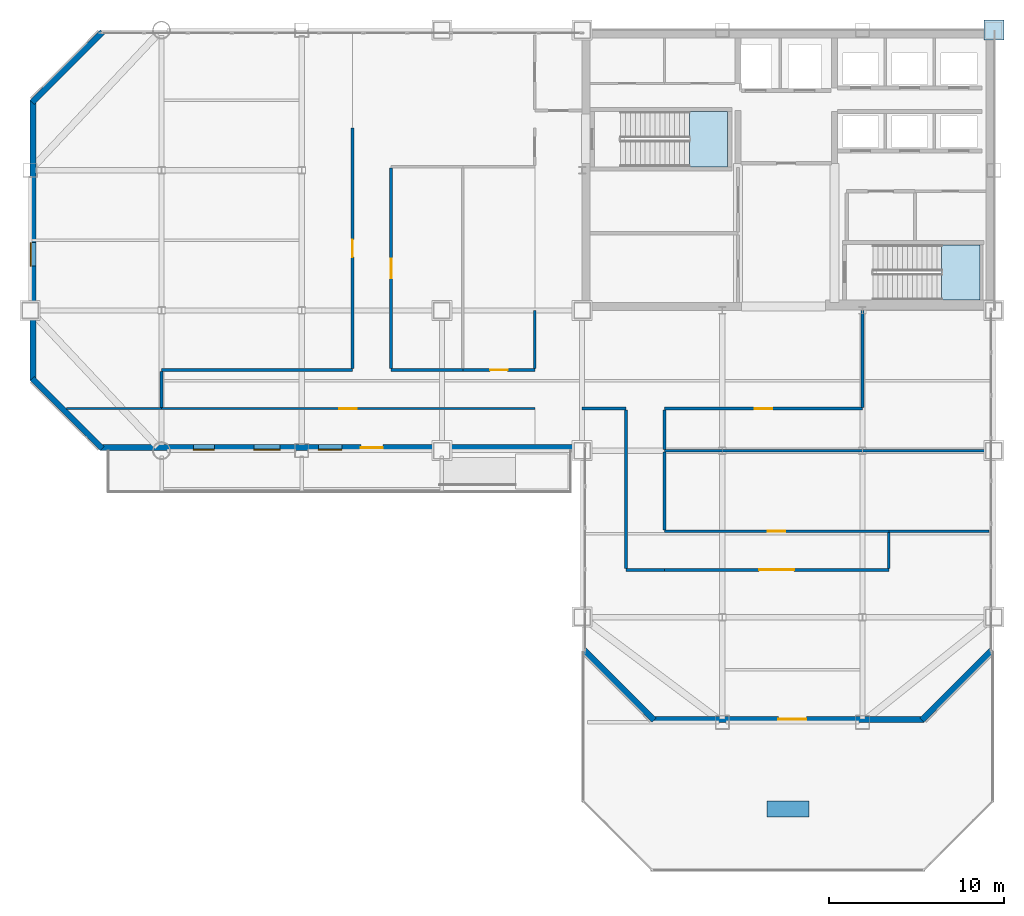
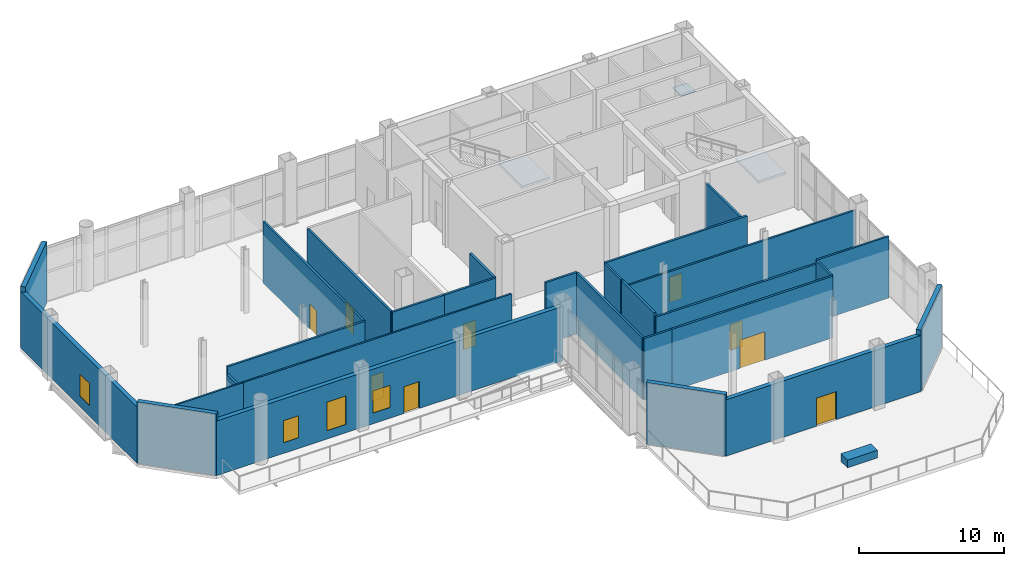
# One storey, part 17 of 21: 29 walls, 9 doors, 4 windows, 2 slabs, 1 plate, 13 openings, 2 elements without a shape of their own.
"""IFC4 building model written with IfcOpenShell, lengths in metres."""

from ifc_helpers import new_model, si_unit, direction, frame, frame_2d, origin, origin_2d, place, context, subcontext, project, spatial, polyline, rectangle, outline, extrude, material, layer, layer_set, type_object, element, fill, aggregate, save


model = new_model("IFC4")

# Units and contexts
model_context = context("Model", 3, precision=1e-05, world=origin(), true_north=direction((0.0, 1.0)))
body_context = subcontext(model_context, "Body", "Model", "MODEL_VIEW")
ifc_project = project(units=[si_unit("LENGTHUNIT", "METRE"), si_unit("AREAUNIT", "SQUARE_METRE"), si_unit("VOLUMEUNIT", "CUBIC_METRE"), si_unit("PLANEANGLEUNIT", "RADIAN"), si_unit("MASSUNIT", "GRAM", prefix="KILO")], contexts=[model_context])

# Site, building, storey
site_placement = place(None, origin())
site = spatial("IfcSite", under=ifc_project, at=site_placement, CompositionType="ELEMENT")
building_placement = place(site_placement, origin())
building = spatial("IfcBuilding", under=site, at=building_placement, Name="Qianrong Seaharbour Tower", CompositionType="ELEMENT")
storey_placement = place(building_placement, frame((0.0, 0.0, 200.39990234375)))
storey = spatial("IfcBuildingStorey", under=building, at=storey_placement, Name="L48", CompositionType="ELEMENT", Elevation=200.39990234375)

# Plate
ifc_material_1 = material(Name="Structural steel SN490B", Category="steel")
ifc_layer_1 = layer(ifc_material_1, 0.044921875)
ifc_layer_set_1 = layer_set([ifc_layer_1], Name="Structural steel SN490B")
plate_type = type_object("IfcPlateType", Name="PLT-COL-CAP-45", PredefinedType="SHEET", material=ifc_layer_set_1)
plate_placement = place(storey_placement, frame((64.0, 52.0, -0.0224609375), z_axis=(0.0, 0.0, 1.0), x_axis=(1.0, 0.0, 0.0)))
element("IfcPlate", 1, at=plate_placement, inside=storey, type_object=plate_type, Name="L48 Column Splice Cap Plate G9/GH", PredefinedType="SHEET", context=body_context, shape_type="SweptSolid", body=[
    extrude(rectangle(XDim=1.14990234375, YDim=1.14990234375, at=origin_2d()), origin(), (0.0, 0.0, 1.0), 0.044921875),
])

# Stair, slab
ifc_material_2 = material(Name="Concrete C50/60", Category="concrete")
stair_type = type_object("IfcStairType", Name="STAIR-DOGLEG-1500-R30", PredefinedType="HALF_TURN_STAIR", material=ifc_material_2)
stair_1_placement = place(storey_placement, origin())
stair_1 = element("IfcStair", 2, at=stair_1_placement, inside=storey, type_object=stair_type, Name="L48 Protected Escape Stair ST-1", PredefinedType="HALF_TURN_STAIR")
ifc_layer_2 = layer(ifc_material_2, 0.199951171875)
ifc_layer_set_2 = layer_set([ifc_layer_2], Name="Concrete C50/60")
slab_type = type_object("IfcSlabType", Name="SLAB-STAIR-LANDING-200", PredefinedType="LANDING", material=ifc_layer_set_2)
slab_1_placement = place(storey_placement, frame((0.0, 0.0, 2.5)))
slab_1 = element("IfcSlab", 3, at=slab_1_placement, type_object=slab_type, Name="ST-1 landing 1", PredefinedType="LANDING", context=body_context, shape_type="SweptSolid", body=[
    extrude(outline(polyline([(46.6201171875, 44.199951171875), (48.800048828125, 44.199951171875), (48.800048828125, 47.35009765625), (46.6201171875, 47.35009765625), (46.6201171875, 44.199951171875)])), origin(), (0.0, 0.0, 1.0), 0.2001953125),
])
aggregate(stair_1, [slab_1])

stair_2_placement = place(storey_placement, origin())
stair_2 = element("IfcStair", 4, at=stair_2_placement, inside=storey, type_object=stair_type, Name="L48 Protected Escape Stair ST-2", PredefinedType="HALF_TURN_STAIR")
slab_2_placement = place(storey_placement, frame((0.0, 0.0, 2.5)))
slab_2 = element("IfcSlab", 5, at=slab_2_placement, type_object=slab_type, Name="ST-2 landing 1", PredefinedType="LANDING", context=body_context, shape_type="SweptSolid", body=[
    extrude(outline(polyline([(61.02001953125, 36.60009765625), (63.199951171875, 36.60009765625), (63.199951171875, 39.75), (61.02001953125, 39.75), (61.02001953125, 36.60009765625)])), origin(), (0.0, 0.0, 1.0), 0.2001953125),
])
aggregate(stair_2, [slab_2])

# Walls
ifc_material_3 = material(Name="Fire-rated acoustic gypsum board partition")
ifc_layer_3 = layer(ifc_material_3, 0.1650390625)
ifc_layer_set_3 = layer_set([ifc_layer_3], Name="Fire-rated acoustic gypsum board partition")
wall_type_1 = type_object("IfcWallType", Name="WALL-CORR-PART-165", PredefinedType="PARTITIONING", material=ifc_layer_set_3)
wall_1_placement = place(storey_placement, frame((16.5, 30.45703125, 0.0), z_axis=(0.0, 0.0, 1.0), x_axis=(0.0, 1.0, 0.0)))
element("IfcWall", 6, at=wall_1_placement, inside=storey, type_object=wall_type_1, Name="L48 Interior Partition Wall 015", PredefinedType="PARTITIONING", context=body_context, shape_type="SweptSolid", body=[
    extrude(rectangle(XDim=2.068359375, YDim=0.1650390625, at=frame_2d((1.0341796875, 0.0))), origin(), (0.0, 0.0, 1.0), 4.5791015625),
])
wall_2_placement = place(storey_placement, frame((16.5, 32.60009765625, 0.0), z_axis=(0.0, 0.0, 1.0), x_axis=(1.0, 0.0, 0.0)))
element("IfcWall", 7, at=wall_2_placement, inside=storey, type_object=wall_type_1, Name="L48 Interior Partition Wall 016", PredefinedType="PARTITIONING", context=body_context, shape_type="SweptSolid", body=[
    extrude(rectangle(XDim=10.89990234375, YDim=0.1650390625, at=frame_2d((5.449951171875, 0.0))), origin(), (0.0, 0.0, 1.0), 5.175048828125),
])
wall_3_placement = place(storey_placement, frame((29.60009765625, 32.60009765625, 0.0), z_axis=(0.0, 0.0, 1.0), x_axis=(1.0, 0.0, 0.0)))
element("IfcWall", 8, at=wall_3_placement, inside=storey, type_object=wall_type_1, Name="L48 Interior Partition Wall 017", PredefinedType="PARTITIONING", context=body_context, shape_type="SweptSolid", body=[
    extrude(rectangle(XDim=4.099853515625, YDim=0.1650390625, at=frame_2d((2.0498046875, 0.0))), origin(), (0.0, 0.0, 1.0), 5.175048828125),
])

# Wall, opening, door
wall_4_placement = place(storey_placement, frame((33.699951171875, 32.60009765625, 0.0), z_axis=(0.0, 0.0, 1.0), x_axis=(1.0, 0.0, 0.0)))
wall_4 = element("IfcWall", 9, at=wall_4_placement, inside=storey, type_object=wall_type_1, Name="L48 Interior Partition Wall 018", PredefinedType="PARTITIONING", context=body_context, shape_type="SweptSolid", body=[
    extrude(rectangle(XDim=4.10009765625, YDim=0.1650390625, at=frame_2d((2.050048828125, 0.0))), origin(), (0.0, 0.0, 1.0), 5.175048828125),
])
opening_1_placement = place(wall_4_placement, frame((1.550048828125, 0.0, 0.0)))
opening_1 = element("IfcOpeningElement", 10, at=opening_1_placement, cuts=wall_4, Name="Opening DO-01", PredefinedType="OPENING", context=body_context, shape_type="SweptSolid", body=[
    extrude(rectangle(XDim=1.0, YDim=2.14990234375, at=frame_2d((0.5, 1.074951171875))), frame((0.0, 0.092529296875, 0.0), z_axis=(0.0, -1.0, 0.0), x_axis=(1.0, 0.0, 0.0)), (0.0, 0.0, 1.0), 0.18505859375),
])
ifc_material_4 = material(Name="Acoustic timber and galvanized steel fire door assembly", Category="steel")
door_type_1 = type_object("IfcDoorType", Name="DOOR-OFFICE-1000x2150", OperationType="NOTDEFINED", PredefinedType="DOOR", material=ifc_material_4)
door_1_placement = place(opening_1_placement, origin())
door_1 = element("IfcDoor", 11, at=door_1_placement, inside=storey, type_object=door_type_1, Name="L48 Project Library 2 Door", OperationType="SINGLE_SWING_RIGHT", OverallHeight=2.14990234375, OverallWidth=1.0, PredefinedType="DOOR", context=body_context, shape_type="SweptSolid", body=[
    extrude(rectangle(XDim=1.0, YDim=2.14990234375, at=frame_2d((0.5, 1.074951171875))), frame((0.0, 0.02490234375, 0.0), z_axis=(0.0, -1.0, 0.0), x_axis=(1.0, 0.0, 0.0)), (0.0, 0.0, 1.0), 0.050048828125),
])
fill(opening_1, door_1)

wall_5_placement = place(storey_placement, frame((27.39990234375, 32.674560546875, 0.0), z_axis=(0.0, 0.0, 1.0), x_axis=(0.0, 1.0, 0.0)))
wall_5 = element("IfcWall", 12, at=wall_5_placement, inside=storey, type_object=wall_type_1, Name="L48 Interior Partition Wall 020", PredefinedType="PARTITIONING", context=body_context, shape_type="SweptSolid", body=[
    extrude(rectangle(XDim=13.725341796875, YDim=0.1650390625, at=frame_2d((6.86279296875, 0.0))), origin(), (0.0, 0.0, 1.0), 5.175048828125),
])
opening_2_placement = place(wall_5_placement, frame((6.36279296875, 0.0, 0.0)))
opening_2 = element("IfcOpeningElement", 13, at=opening_2_placement, cuts=wall_5, Name="Opening DO-01", PredefinedType="OPENING", context=body_context, shape_type="SweptSolid", body=[
    extrude(rectangle(XDim=1.0, YDim=2.14990234375, at=frame_2d((0.5, 1.074951171875))), frame((0.0, 0.092529296875, 0.0), z_axis=(0.0, -1.0, 0.0), x_axis=(1.0, 0.0, 0.0)), (0.0, 0.0, 1.0), 0.18505859375),
])
door_2_placement = place(opening_2_placement, origin())
door_2 = element("IfcDoor", 14, at=door_2_placement, inside=storey, type_object=door_type_1, Name="L48 Transfer Hub Open-Plan Office Door", OperationType="SINGLE_SWING_RIGHT", OverallHeight=2.14990234375, OverallWidth=1.0, PredefinedType="DOOR", context=body_context, shape_type="SweptSolid", body=[
    extrude(rectangle(XDim=1.0, YDim=2.14990234375, at=frame_2d((0.5, 1.074951171875))), frame((0.0, 0.02490234375, 0.0), z_axis=(0.0, -1.0, 0.0), x_axis=(1.0, 0.0, 0.0)), (0.0, 0.0, 1.0), 0.050048828125),
])
fill(opening_2, door_2)

wall_6_placement = place(storey_placement, frame((29.60009765625, 44.12548828125, 0.0), z_axis=(0.0, 0.0, 1.0), x_axis=(0.0, -1.0, 0.0)))
wall_6 = element("IfcWall", 15, at=wall_6_placement, inside=storey, type_object=wall_type_1, Name="L48 Interior Partition Wall 021", PredefinedType="PARTITIONING", context=body_context, shape_type="SweptSolid", body=[
    extrude(rectangle(XDim=11.450927734375, YDim=0.1650390625, at=frame_2d((5.7255859375, 0.0))), origin(), (0.0, 0.0, 1.0), 5.175048828125),
])
opening_3_placement = place(wall_6_placement, frame((5.175537109375, 0.0, 0.0)))
opening_3 = element("IfcOpeningElement", 16, at=opening_3_placement, cuts=wall_6, Name="Opening DM-01", PredefinedType="OPENING", context=body_context, shape_type="SweptSolid", body=[
    extrude(rectangle(XDim=1.10009765625, YDim=2.199951171875, at=frame_2d((0.550048828125, 1.10009765625))), frame((0.0, 0.092529296875, 0.0), z_axis=(0.0, -1.0, 0.0), x_axis=(1.0, 0.0, 0.0)), (0.0, 0.0, 1.0), 0.18505859375),
])
door_type_2 = type_object("IfcDoorType", Name="DOOR-MEET-1100x2200", OperationType="NOTDEFINED", PredefinedType="DOOR", material=ifc_material_4)
door_3_placement = place(opening_3_placement, origin())
door_3 = element("IfcDoor", 17, at=door_3_placement, inside=storey, type_object=door_type_2, Name="L48 Harbour Panorama Boardroom 1 Door", OperationType="SINGLE_SWING_LEFT", OverallHeight=2.199951171875, OverallWidth=1.10009765625, PredefinedType="DOOR", context=body_context, shape_type="SweptSolid", body=[
    extrude(rectangle(XDim=1.10009765625, YDim=2.199951171875, at=frame_2d((0.550048828125, 1.10009765625))), frame((0.0, 0.02490234375, 0.0), z_axis=(0.0, -1.0, 0.0), x_axis=(1.0, 0.0, 0.0)), (0.0, 0.0, 1.0), 0.050048828125),
])
fill(opening_3, door_3)

# Walls
wall_7_placement = place(storey_placement, frame((37.800048828125, 32.674560546875, 0.0), z_axis=(0.0, 0.0, 1.0), x_axis=(0.0, 1.0, 0.0)))
element("IfcWall", 18, at=wall_7_placement, inside=storey, type_object=wall_type_1, Name="L48 Interior Partition Wall 024", PredefinedType="PARTITIONING", context=body_context, shape_type="SweptSolid", body=[
    extrude(rectangle(XDim=3.325439453125, YDim=0.1650390625, at=frame_2d((1.66259765625, 0.0))), origin(), (0.0, 0.0, 1.0), 5.175048828125),
])
wall_8_placement = place(storey_placement, frame((56.5, 36.0, 0.0), z_axis=(0.0, 0.0, 1.0), x_axis=(0.0, -1.0, 0.0)))
element("IfcWall", 19, at=wall_8_placement, inside=storey, type_object=wall_type_1, Name="L48 Interior Partition Wall 025", PredefinedType="PARTITIONING", context=body_context, shape_type="SweptSolid", body=[
    extrude(rectangle(XDim=5.525390625, YDim=0.1650390625, at=frame_2d((2.7626953125, 0.0))), origin(), (0.0, 0.0, 1.0), 4.5791015625),
])

# Wall, opening, door
wall_9_placement = place(storey_placement, frame((56.5, 30.39990234375, 0.0), z_axis=(0.0, 0.0, 1.0), x_axis=(-1.0, 0.0, 0.0)))
wall_9 = element("IfcWall", 20, at=wall_9_placement, inside=storey, type_object=wall_type_1, Name="L48 Interior Partition Wall 026", PredefinedType="PARTITIONING", context=body_context, shape_type="SweptSolid", body=[
    extrude(rectangle(XDim=11.300048828125, YDim=0.1650390625, at=frame_2d((5.64990234375, 0.0))), origin(), (0.0, 0.0, 1.0), 5.175048828125),
])
opening_4_placement = place(wall_9_placement, frame((5.14990234375, 0.0, 0.0)))
opening_4 = element("IfcOpeningElement", 21, at=opening_4_placement, cuts=wall_9, Name="Opening DO-01", PredefinedType="OPENING", context=body_context, shape_type="SweptSolid", body=[
    extrude(rectangle(XDim=1.0, YDim=2.14990234375, at=frame_2d((0.5, 1.074951171875))), frame((0.0, 0.092529296875, 0.0), z_axis=(0.0, -1.0, 0.0), x_axis=(1.0, 0.0, 0.0)), (0.0, 0.0, 1.0), 0.18505859375),
])
door_4_placement = place(opening_4_placement, origin())
door_4 = element("IfcDoor", 22, at=door_4_placement, inside=storey, type_object=door_type_1, Name="L48 Executive Briefing Salon 2 Door", OperationType="SINGLE_SWING_RIGHT", OverallHeight=2.14990234375, OverallWidth=1.0, PredefinedType="DOOR", context=body_context, shape_type="SweptSolid", body=[
    extrude(rectangle(XDim=1.0, YDim=2.14990234375, at=frame_2d((0.5, 1.074951171875))), frame((0.0, 0.02490234375, 0.0), z_axis=(0.0, -1.0, 0.0), x_axis=(1.0, 0.0, 0.0)), (0.0, 0.0, 1.0), 0.050048828125),
])
fill(opening_4, door_4)

# Walls
wall_10_placement = place(storey_placement, frame((43.0, 30.39990234375, 0.0), z_axis=(0.0, 0.0, 1.0), x_axis=(-1.0, 0.0, 0.0)))
element("IfcWall", 23, at=wall_10_placement, inside=storey, type_object=wall_type_1, Name="L48 Interior Partition Wall 027", PredefinedType="PARTITIONING", context=body_context, shape_type="SweptSolid", body=[
    extrude(rectangle(XDim=2.5, YDim=0.1650390625, at=frame_2d((1.25, 0.0))), origin(), (0.0, 0.0, 1.0), 5.175048828125),
])
wall_11_placement = place(storey_placement, frame((45.199951171875, 27.935546875, 0.0), z_axis=(0.0, 0.0, 1.0), x_axis=(0.0, -1.0, 0.0)))
element("IfcWall", 24, at=wall_11_placement, inside=storey, type_object=wall_type_1, Name="L48 Interior Partition Wall 028", PredefinedType="PARTITIONING", context=body_context, shape_type="SweptSolid", body=[
    extrude(rectangle(XDim=4.4609375, YDim=0.1650390625, at=frame_2d((2.23046875, 0.0))), origin(), (0.0, 0.0, 1.0), 5.175048828125),
])
wall_12_placement = place(storey_placement, frame((45.199951171875, 30.325439453125, 0.0), z_axis=(0.0, 0.0, 1.0), x_axis=(0.0, -1.0, 0.0)))
element("IfcWall", 25, at=wall_12_placement, inside=storey, type_object=wall_type_1, Name="L48 Interior Partition Wall 029", PredefinedType="PARTITIONING", context=body_context, shape_type="SweptSolid", body=[
    extrude(rectangle(XDim=2.260986328125, YDim=0.1650390625, at=frame_2d((1.13037109375, 0.0))), origin(), (0.0, 0.0, 1.0), 5.175048828125),
])
wall_13_placement = place(storey_placement, frame((45.199951171875, 21.199951171875, 0.0), z_axis=(0.0, 0.0, 1.0), x_axis=(-1.0, 0.0, 0.0)))
element("IfcWall", 26, at=wall_13_placement, inside=storey, type_object=wall_type_1, Name="L48 Interior Partition Wall 030", PredefinedType="PARTITIONING", context=body_context, shape_type="SweptSolid", body=[
    extrude(rectangle(XDim=2.199951171875, YDim=0.1650390625, at=frame_2d((1.10009765625, 0.0))), origin(), (0.0, 0.0, 1.0), 5.175048828125),
])
wall_14_placement = place(storey_placement, frame((43.0, 21.2744140625, 0.0), z_axis=(0.0, 0.0, 1.0), x_axis=(0.0, 1.0, 0.0)))
element("IfcWall", 27, at=wall_14_placement, inside=storey, type_object=wall_type_1, Name="L48 Interior Partition Wall 031", PredefinedType="PARTITIONING", context=body_context, shape_type="SweptSolid", body=[
    extrude(rectangle(XDim=9.051025390625, YDim=0.1650390625, at=frame_2d((4.525390625, 0.0))), origin(), (0.0, 0.0, 1.0), 5.175048828125),
])

# Wall, opening, door
wall_15_placement = place(storey_placement, frame((45.199951171875, 23.39990234375, 0.0), z_axis=(0.0, 0.0, 1.0), x_axis=(1.0, 0.0, 0.0)))
wall_15 = element("IfcWall", 28, at=wall_15_placement, inside=storey, type_object=wall_type_1, Name="L48 Interior Partition Wall 032", PredefinedType="PARTITIONING", context=body_context, shape_type="SweptSolid", body=[
    extrude(rectangle(XDim=12.800048828125, YDim=0.1650390625, at=frame_2d((6.39990234375, 0.0))), origin(), (0.0, 0.0, 1.0), 4.8671875),
])
opening_5_placement = place(wall_15_placement, frame((5.89990234375, 0.0, 0.0)))
opening_5 = element("IfcOpeningElement", 29, at=opening_5_placement, cuts=wall_15, Name="Opening DO-01", PredefinedType="OPENING", context=body_context, shape_type="SweptSolid", body=[
    extrude(rectangle(XDim=1.0, YDim=2.14990234375, at=frame_2d((0.5, 1.074951171875))), frame((0.0, 0.092529296875, 0.0), z_axis=(0.0, -1.0, 0.0), x_axis=(1.0, 0.0, 0.0)), (0.0, 0.0, 1.0), 0.18505859375),
])
door_5_placement = place(opening_5_placement, origin())
door_5 = element("IfcDoor", 30, at=door_5_placement, inside=storey, type_object=door_type_1, Name="L48 Harbour View Dining Bistro 1 Door", OperationType="SINGLE_SWING_LEFT", OverallHeight=2.14990234375, OverallWidth=1.0, PredefinedType="DOOR", context=body_context, shape_type="SweptSolid", body=[
    extrude(rectangle(XDim=1.0, YDim=2.14990234375, at=frame_2d((0.5, 1.074951171875))), frame((0.0, 0.02490234375, 0.0), z_axis=(0.0, -1.0, 0.0), x_axis=(1.0, 0.0, 0.0)), (0.0, 0.0, 1.0), 0.050048828125),
])
fill(opening_5, door_5)

# Wall
wall_16_placement = place(storey_placement, frame((58.0, 23.325439453125, 0.0), z_axis=(0.0, 0.0, 1.0), x_axis=(0.0, -1.0, 0.0)))
element("IfcWall", 31, at=wall_16_placement, inside=storey, type_object=wall_type_1, Name="L48 Interior Partition Wall 033", PredefinedType="PARTITIONING", context=body_context, shape_type="SweptSolid", body=[
    extrude(rectangle(XDim=2.051025390625, YDim=0.1650390625, at=frame_2d((1.025390625, 0.0))), origin(), (0.0, 0.0, 1.0), 5.175048828125),
])

# Wall, opening, door
wall_17_placement = place(storey_placement, frame((58.0, 21.199951171875, 0.0), z_axis=(0.0, 0.0, 1.0), x_axis=(-1.0, 0.0, 0.0)))
wall_17 = element("IfcWall", 32, at=wall_17_placement, inside=storey, type_object=wall_type_1, Name="L48 Interior Partition Wall 034", PredefinedType="PARTITIONING", context=body_context, shape_type="SweptSolid", body=[
    extrude(rectangle(XDim=12.800048828125, YDim=0.1650390625, at=frame_2d((6.39990234375, 0.0))), origin(), (0.0, 0.0, 1.0), 5.175048828125),
])
opening_6_placement = place(wall_17_placement, frame((5.39990234375, 0.0, 0.0)))
opening_6 = element("IfcOpeningElement", 33, at=opening_6_placement, cuts=wall_17, Name="Opening DA-01", PredefinedType="OPENING", context=body_context, shape_type="SweptSolid", body=[
    extrude(rectangle(XDim=2.0, YDim=2.39990234375, at=frame_2d((1.0, 1.199951171875))), frame((0.0, 0.092529296875, 0.0), z_axis=(0.0, -1.0, 0.0), x_axis=(1.0, 0.0, 0.0)), (0.0, 0.0, 1.0), 0.18505859375),
])
door_type_3 = type_object("IfcDoorType", Name="DOOR-AUD-PAIR-2000x2400", OperationType="DOUBLE_DOOR_SINGLE_SWING", PredefinedType="DOOR", material=ifc_material_4)
door_6_placement = place(opening_6_placement, origin())
door_6 = element("IfcDoor", 34, at=door_6_placement, inside=storey, type_object=door_type_3, Name="L48 Skyline Observation Lounge Door", OperationType="DOUBLE_DOOR_SINGLE_SWING", OverallHeight=2.39990234375, OverallWidth=2.0, PredefinedType="DOOR", context=body_context, shape_type="SweptSolid", body=[
    extrude(rectangle(XDim=2.0, YDim=2.39990234375, at=frame_2d((1.0, 1.199951171875))), frame((0.0, 0.02490234375, 0.0), z_axis=(0.0, -1.0, 0.0), x_axis=(1.0, 0.0, 0.0)), (0.0, 0.0, 1.0), 0.050048828125),
])
fill(opening_6, door_6)

# Wall, openings, door, windows
ifc_material_5 = material(Name="Unitised buff brick on Precast concrete C45/55", Category="masonry")
ifc_layer_4 = layer(ifc_material_5, 0.340087890625)
ifc_layer_set_4 = layer_set([ifc_layer_4], Name="Unitised buff brick on Precast concrete C45/55")
wall_type_2 = type_object("IfcWallType", Name="WALL-EXT-BRICK-BUFF-340", PredefinedType="SOLIDWALL", material=ifc_layer_set_4)
wall_18_placement = place(storey_placement, frame((40.52001953125, 28.169921875, 0.0), z_axis=(0.0, 0.0, 1.0), x_axis=(-1.0, 0.0, 0.0)))
wall_18 = element("IfcWall", 35, at=wall_18_placement, inside=storey, type_object=wall_type_2, Name="L48 Exterior Masonry Facade Wall HARBOUR_RIBBON", PredefinedType="SOLIDWALL", context=body_context, shape_type="SweptSolid", body=[
    extrude(rectangle(XDim=27.52001953125, YDim=0.340087890625, at=frame_2d((13.760009765625, 0.0))), origin(), (0.0, 0.0, 1.0), 4.587158203125),
])
opening_7_placement = place(wall_18_placement, frame((13.72509765625, 0.0, 0.89990234375)))
opening_7 = element("IfcOpeningElement", 36, at=opening_7_placement, cuts=wall_18, Name="Opening WN-02", PredefinedType="OPENING", context=body_context, shape_type="SweptSolid", body=[
    extrude(rectangle(XDim=1.35009765625, YDim=1.85009765625, at=frame_2d((0.675048828125, 0.925048828125))), frame((0.0, 0.18017578125, 0.0), z_axis=(0.0, -1.0, 0.0), x_axis=(1.0, 0.0, 0.0)), (0.0, 0.0, 1.0), 0.360107421875),
])
opening_8_placement = place(wall_18_placement, frame((17.25, 0.0, 0.699951171875)))
opening_8 = element("IfcOpeningElement", 37, at=opening_8_placement, cuts=wall_18, Name="Opening WN-08", PredefinedType="OPENING", context=body_context, shape_type="SweptSolid", body=[
    extrude(rectangle(XDim=1.5, YDim=2.39990234375, at=frame_2d((0.75, 1.199951171875))), frame((0.0, 0.18017578125, 0.0), z_axis=(0.0, -1.0, 0.0), x_axis=(1.0, 0.0, 0.0)), (0.0, 0.0, 1.0), 0.360107421875),
])
opening_9_placement = place(wall_18_placement, frame((21.0, 0.0, 0.89990234375)))
opening_9 = element("IfcOpeningElement", 38, at=opening_9_placement, cuts=wall_18, Name="Opening WN-01", PredefinedType="OPENING", context=body_context, shape_type="SweptSolid", body=[
    extrude(rectangle(XDim=1.199951171875, YDim=1.85009765625, at=frame_2d((0.60009765625, 0.925048828125))), frame((0.0, 0.18017578125, 0.0), z_axis=(0.0, -1.0, 0.0), x_axis=(1.0, 0.0, 0.0)), (0.0, 0.0, 1.0), 0.360107421875),
])
opening_10_placement = place(wall_18_placement, frame((11.39501953125, 0.0, 0.0)))
opening_10 = element("IfcOpeningElement", 39, at=opening_10_placement, cuts=wall_18, Name="Opening D-TER1", PredefinedType="OPENING", context=body_context, shape_type="SweptSolid", body=[
    extrude(rectangle(XDim=1.25, YDim=2.25, at=frame_2d((0.625, 1.125))), frame((0.0, 0.18017578125, 0.0), z_axis=(0.0, -1.0, 0.0), x_axis=(1.0, 0.0, 0.0)), (0.0, 0.0, 1.0), 0.360107421875),
])
ifc_material_6 = material(Name="Insulated galvanized steel and laminated glass door assembly", Category="steel")
door_type_4 = type_object("IfcDoorType", Name="DOOR-EXT-TERRACE-1250x2250", OperationType="NOTDEFINED", PredefinedType="DOOR", material=ifc_material_6)
door_7_placement = place(opening_10_placement, origin())
door_7 = element("IfcDoor", 40, at=door_7_placement, inside=storey, type_object=door_type_4, Name="L48 Harbourfront Ribbon Gallery Access Door", OperationType="SINGLE_SWING_LEFT", OverallHeight=2.25, OverallWidth=1.25, PredefinedType="DOOR", context=body_context, shape_type="SweptSolid", body=[
    extrude(rectangle(XDim=1.25, YDim=2.25, at=frame_2d((0.625, 1.125))), frame((0.0, 0.02490234375, 0.0), z_axis=(0.0, -1.0, 0.0), x_axis=(1.0, 0.0, 0.0)), (0.0, 0.0, 1.0), 0.050048828125),
])
fill(opening_10, door_7)
ifc_material_7 = material(Name="Insulated low-e double glazing in thermally broken aluminium 6063-T6 frame", Category="aluminium")
window_type_1 = type_object("IfcWindowType", Name="WIN-PUNCH-1200x1850", PartitioningType="DOUBLE_PANEL_VERTICAL", PredefinedType="WINDOW", material=ifc_material_7)
window_1_placement = place(opening_9_placement, origin())
window_1 = element("IfcWindow", 41, at=window_1_placement, inside=storey, type_object=window_type_1, Name="L48 Deep-Set Punched Window 01.06", OverallHeight=1.85009765625, OverallWidth=1.199951171875, PartitioningType="DOUBLE_PANEL_VERTICAL", PredefinedType="WINDOW", context=body_context, shape_type="SweptSolid", body=[
    extrude(rectangle(XDim=1.199951171875, YDim=1.85009765625, at=frame_2d((0.60009765625, 0.925048828125))), frame((0.0, 0.150146484375, 0.0), z_axis=(0.0, -1.0, 0.0), x_axis=(1.0, 0.0, 0.0)), (0.0, 0.0, 1.0), 0.06005859375),
])
fill(opening_9, window_1)
window_type_2 = type_object("IfcWindowType", Name="WIN-PUNCH-1350x1850", PartitioningType="DOUBLE_PANEL_VERTICAL", PredefinedType="WINDOW", material=ifc_material_7)
window_2_placement = place(opening_7_placement, origin())
window_2 = element("IfcWindow", 42, at=window_2_placement, inside=storey, type_object=window_type_2, Name="L48 Deep-Set Punched Window 01.04", OverallHeight=1.85009765625, OverallWidth=1.35009765625, PartitioningType="DOUBLE_PANEL_VERTICAL", PredefinedType="WINDOW", context=body_context, shape_type="SweptSolid", body=[
    extrude(rectangle(XDim=1.35009765625, YDim=1.85009765625, at=frame_2d((0.675048828125, 0.925048828125))), frame((0.0, 0.150146484375, 0.0), z_axis=(0.0, -1.0, 0.0), x_axis=(1.0, 0.0, 0.0)), (0.0, 0.0, 1.0), 0.06005859375),
])
fill(opening_7, window_2)
window_type_3 = type_object("IfcWindowType", Name="WIN-PUNCH-1500x2400", PartitioningType="DOUBLE_PANEL_HORIZONTAL", PredefinedType="WINDOW", material=ifc_material_7)
window_3_placement = place(opening_8_placement, origin())
window_3 = element("IfcWindow", 43, at=window_3_placement, inside=storey, type_object=window_type_3, Name="L48 Deep-Set Punched Window 01.05", OverallHeight=2.39990234375, OverallWidth=1.5, PartitioningType="DOUBLE_PANEL_HORIZONTAL", PredefinedType="WINDOW", context=body_context, shape_type="SweptSolid", body=[
    extrude(rectangle(XDim=1.5, YDim=2.39990234375, at=frame_2d((0.75, 1.199951171875))), frame((0.0, 0.150146484375, 0.0), z_axis=(0.0, -1.0, 0.0), x_axis=(1.0, 0.0, 0.0)), (0.0, 0.0, 1.0), 0.06005859375),
])
fill(opening_8, window_3)

# Wall
wall_19_placement = place(storey_placement, frame((13.1201171875, 28.1201171875, 0.0), z_axis=(0.0, 0.0, 1.0), x_axis=(-0.707106781187, 0.707106781187, 0.0)))
element("IfcWall", 44, at=wall_19_placement, inside=storey, type_object=wall_type_2, Name="L48 Exterior Masonry Facade Wall E02", PredefinedType="SOLIDWALL", context=body_context, shape_type="SweptSolid", body=[
    extrude(rectangle(XDim=5.65673828125, YDim=0.340087890625, at=frame_2d((2.828369140625, 0.0))), origin(), (0.0, 0.0, 1.0), 5.175048828125),
])

# Wall, opening, window
wall_20_placement = place(storey_placement, frame((9.169921875, 32.0, 0.0), z_axis=(0.0, 0.0, 1.0), x_axis=(0.0, 1.0, 0.0)))
wall_20 = element("IfcWall", 45, at=wall_20_placement, inside=storey, type_object=wall_type_2, Name="L48 Exterior Masonry Facade Wall WEST_TIP", PredefinedType="SOLIDWALL", context=body_context, shape_type="SweptSolid", body=[
    extrude(rectangle(XDim=16.0, YDim=0.340087890625, at=frame_2d((8.0, 0.0))), origin(), (0.0, 0.0, 1.0), 4.72509765625),
])
opening_11_placement = place(wall_20_placement, frame((6.52490234375, 0.0, 0.89990234375)))
opening_11 = element("IfcOpeningElement", 46, at=opening_11_placement, cuts=wall_20, Name="Opening WN-02", PredefinedType="OPENING", context=body_context, shape_type="SweptSolid", body=[
    extrude(rectangle(XDim=1.35009765625, YDim=1.85009765625, at=frame_2d((0.675048828125, 0.925048828125))), frame((0.0, 0.18017578125, 0.0), z_axis=(0.0, -1.0, 0.0), x_axis=(1.0, 0.0, 0.0)), (0.0, 0.0, 1.0), 0.360107421875),
])
window_4_placement = place(opening_11_placement, origin())
window_4 = element("IfcWindow", 47, at=window_4_placement, inside=storey, type_object=window_type_2, Name="L48 Deep-Set Punched Window 03.02", OverallHeight=1.85009765625, OverallWidth=1.35009765625, PartitioningType="DOUBLE_PANEL_VERTICAL", PredefinedType="WINDOW", context=body_context, shape_type="SweptSolid", body=[
    extrude(rectangle(XDim=1.35009765625, YDim=1.85009765625, at=frame_2d((0.675048828125, 0.925048828125))), frame((0.0, 0.150146484375, 0.0), z_axis=(0.0, -1.0, 0.0), x_axis=(1.0, 0.0, 0.0)), (0.0, 0.0, 1.0), 0.06005859375),
])
fill(opening_11, window_4)

# Walls
for number, where, z_axis, x_axis, name in (
    (48, (9.1201171875, 47.8798828125, 0.0), (0.0, 0.0, 1.0), (0.707106781187, 0.707106781187, 0.0), "L48 Exterior Masonry Facade Wall E04"),
    (49, (63.8798828125, 16.6201171875, 0.0), (0.0, 0.0, 1.0), (-0.707106781187, -0.707106781187, 0.0), "L48 Exterior Masonry Facade Wall E07"),
):
    element("IfcWall", number, at=place(storey_placement, frame(where, z_axis=z_axis, x_axis=x_axis)), inside=storey, type_object=wall_type_2, Name=name, PredefinedType="SOLIDWALL", context=body_context, shape_type="SweptSolid", body=[
        extrude(rectangle(XDim=5.65673828125, YDim=0.340087890625, at=frame_2d((2.828369140625, 0.0))), origin(), (0.0, 0.0, 1.0), 5.175048828125),
    ])

# Wall, opening, door
wall_21_placement = place(storey_placement, frame((60.0, 12.669921875, 0.0), z_axis=(0.0, 0.0, 1.0), x_axis=(-1.0, 0.0, 0.0)))
wall_21 = element("IfcWall", 50, at=wall_21_placement, inside=storey, type_object=wall_type_2, Name="L48 Exterior Masonry Facade Wall SOUTH_TIP", PredefinedType="SOLIDWALL", context=body_context, shape_type="SweptSolid", body=[
    extrude(rectangle(XDim=15.5, YDim=0.340087890625, at=frame_2d((7.75, 0.0))), origin(), (0.0, 0.0, 1.0), 4.72509765625),
])
opening_12_placement = place(wall_21_placement, frame((6.699951171875, 0.0, 0.0)))
opening_12 = element("IfcOpeningElement", 51, at=opening_12_placement, cuts=wall_21, Name="Opening D-TER2", PredefinedType="OPENING", context=body_context, shape_type="SweptSolid", body=[
    extrude(rectangle(XDim=1.60009765625, YDim=2.35009765625, at=frame_2d((0.800048828125, 1.175048828125))), frame((0.0, 0.18017578125, 0.0), z_axis=(0.0, -1.0, 0.0), x_axis=(1.0, 0.0, 0.0)), (0.0, 0.0, 1.0), 0.360107421875),
])
door_type_5 = type_object("IfcDoorType", Name="DOOR-EXT-GARDEN-1600x2350", OperationType="DOUBLE_DOOR_SINGLE_SWING", PredefinedType="DOOR", material=ifc_material_6)
door_8_placement = place(opening_12_placement, origin())
door_8 = element("IfcDoor", 52, at=door_8_placement, inside=storey, type_object=door_type_5, Name="L48 Sky Garden Terrace Access Door 4", OperationType="DOUBLE_DOOR_SINGLE_SWING", OverallHeight=2.35009765625, OverallWidth=1.60009765625, PredefinedType="DOOR", context=body_context, shape_type="SweptSolid", body=[
    extrude(rectangle(XDim=1.60009765625, YDim=2.35009765625, at=frame_2d((0.800048828125, 1.175048828125))), frame((0.0, 0.02490234375, 0.0), z_axis=(0.0, -1.0, 0.0), x_axis=(1.0, 0.0, 0.0)), (0.0, 0.0, 1.0), 0.050048828125),
])
fill(opening_12, door_8)

# Walls
wall_22_placement = place(storey_placement, frame((44.6201171875, 12.6201171875, 0.0), z_axis=(0.0, 0.0, 1.0), x_axis=(-0.707106781187, 0.707106781187, 0.0)))
element("IfcWall", 53, at=wall_22_placement, inside=storey, type_object=wall_type_2, Name="L48 Exterior Masonry Facade Wall E09", PredefinedType="SOLIDWALL", context=body_context, shape_type="SweptSolid", body=[
    extrude(rectangle(XDim=5.65673828125, YDim=0.340087890625, at=frame_2d((2.828369140625, 0.0))), origin(), (0.0, 0.0, 1.0), 5.175048828125),
])
ifc_material_8 = material(Name="Acoustic gypsum board stud partition")
ifc_layer_5 = layer(ifc_material_8, 0.14501953125)
ifc_layer_set_5 = layer_set([ifc_layer_5], Name="Acoustic gypsum board stud partition")
wall_type_3 = type_object("IfcWallType", Name="WALL-OFFICE-PART-145", PredefinedType="PARTITIONING", material=ifc_layer_set_5)
wall_23_placement = place(storey_placement, frame((45.199951171875, 28.0, 0.0), z_axis=(0.0, 0.0, 1.0), x_axis=(1.0, 0.0, 0.0)))
element("IfcWall", 54, at=wall_23_placement, inside=storey, type_object=wall_type_3, Name="L48 Interior Partition Wall 037", PredefinedType="PARTITIONING", context=body_context, shape_type="SweptSolid", body=[
    extrude(rectangle(XDim=18.528076171875, YDim=0.14501953125, at=frame_2d((9.26416015625, 0.0))), origin(), (0.0, 0.0, 1.0), 4.5791015625),
])
wall_24_placement = place(storey_placement, frame((63.72802734375, 23.39990234375, 0.0), z_axis=(0.0, 0.0, 1.0), x_axis=(-1.0, 0.0, 0.0)))
element("IfcWall", 55, at=wall_24_placement, inside=storey, type_object=wall_type_3, Name="L48 Interior Partition Wall 038", PredefinedType="PARTITIONING", context=body_context, shape_type="SweptSolid", body=[
    extrude(rectangle(XDim=5.72802734375, YDim=0.14501953125, at=frame_2d((2.864013671875, 0.0))), origin(), (0.0, 0.0, 1.0), 5.175048828125),
])
ifc_material_9 = material(Name="White architectural precast concrete C45/55", Category="concrete")
ifc_layer_6 = layer(ifc_material_9, 0.89990234375)
ifc_layer_set_6 = layer_set([ifc_layer_6], Name="White architectural precast concrete C45/55")
wall_type_4 = type_object("IfcWallType", Name="WALL-PLANTER-KERB-210", PredefinedType="PARAPET", material=ifc_layer_set_6)
wall_25_placement = place(storey_placement, frame((51.050048828125, 7.5556640625, 0.0), z_axis=(0.0, 0.0, 1.0), x_axis=(1.0, 0.0, 0.0)))
element("IfcWall", 56, at=wall_25_placement, inside=storey, type_object=wall_type_4, Name="L48 Sky Garden Structural Planter PLANTER 4", PredefinedType="PARAPET", context=body_context, shape_type="SweptSolid", body=[
    extrude(rectangle(XDim=2.39990234375, YDim=0.89990234375, at=frame_2d((1.199951171875, 0.0))), origin(), (0.0, 0.0, 1.0), 0.650146484375),
])

# Wall, opening, door
ifc_material_10 = material(Name="Water-resistant cement board sanitary partition")
ifc_layer_7 = layer(ifc_material_10, 0.1298828125)
ifc_layer_set_7 = layer_set([ifc_layer_7], Name="Water-resistant cement board sanitary partition")
wall_type_5 = type_object("IfcWallType", Name="WALL-WET-PART-130", PredefinedType="PARTITIONING", material=ifc_layer_set_7)
wall_26_placement = place(storey_placement, frame((37.800048828125, 30.39990234375, 0.0), z_axis=(0.0, 0.0, 1.0), x_axis=(-1.0, 0.0, 0.0)))
wall_26 = element("IfcWall", 57, at=wall_26_placement, inside=storey, type_object=wall_type_5, Name="L48 Interior Partition Wall 019", PredefinedType="PARTITIONING", context=body_context, shape_type="SweptSolid", body=[
    extrude(rectangle(XDim=21.300048828125, YDim=0.1298828125, at=frame_2d((10.64990234375, 0.0))), origin(), (0.0, 0.0, 1.0), 5.175048828125),
])
opening_13_placement = place(wall_26_placement, frame((10.14990234375, 0.0, 0.0)))
opening_13 = element("IfcOpeningElement", 58, at=opening_13_placement, cuts=wall_26, Name="Opening DO-01", PredefinedType="OPENING", context=body_context, shape_type="SweptSolid", body=[
    extrude(rectangle(XDim=1.0, YDim=2.14990234375, at=frame_2d((0.5, 1.074951171875))), frame((0.0, 0.074951171875, 0.0), z_axis=(0.0, -1.0, 0.0), x_axis=(1.0, 0.0, 0.0)), (0.0, 0.0, 1.0), 0.14990234375),
])
door_9_placement = place(opening_13_placement, origin())
door_9 = element("IfcDoor", 59, at=door_9_placement, inside=storey, type_object=door_type_1, Name="L48 Wet Pantry Door", OperationType="SINGLE_SWING_LEFT", OverallHeight=2.14990234375, OverallWidth=1.0, PredefinedType="DOOR", context=body_context, shape_type="SweptSolid", body=[
    extrude(rectangle(XDim=1.0, YDim=2.14990234375, at=frame_2d((0.5, 1.074951171875))), frame((0.0, 0.02490234375, 0.0), z_axis=(0.0, -1.0, 0.0), x_axis=(1.0, 0.0, 0.0)), (0.0, 0.0, 1.0), 0.050048828125),
])
fill(opening_13, door_9)

# Wall
wall_27_placement = place(storey_placement, frame((16.5, 30.39990234375, 0.0), z_axis=(0.0, 0.0, 1.0), x_axis=(-1.0, 0.0, 0.0)))
element("IfcWall", 60, at=wall_27_placement, inside=storey, type_object=wall_type_5, Name="L48 Interior Partition Wall 035", PredefinedType="PARTITIONING", context=body_context, shape_type="SweptSolid", body=[
    extrude(rectangle(XDim=5.430419921875, YDim=0.1298828125, at=frame_2d((2.71533203125, 0.0))), origin(), (0.0, 0.0, 1.0), 5.175048828125),
])

save(model, "model.ifc")
